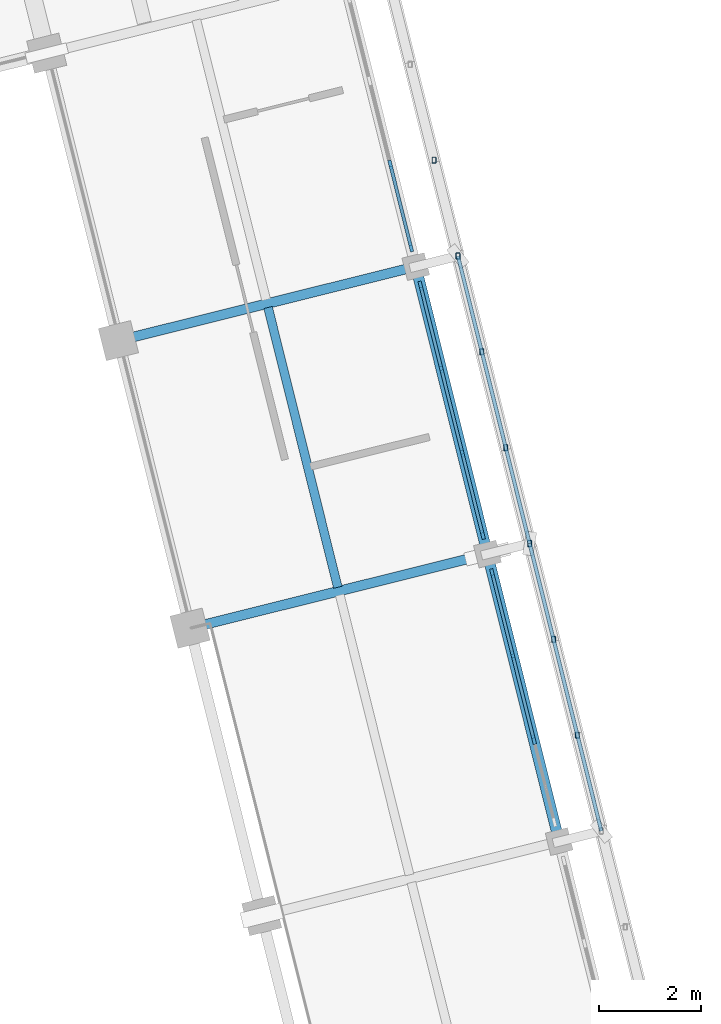
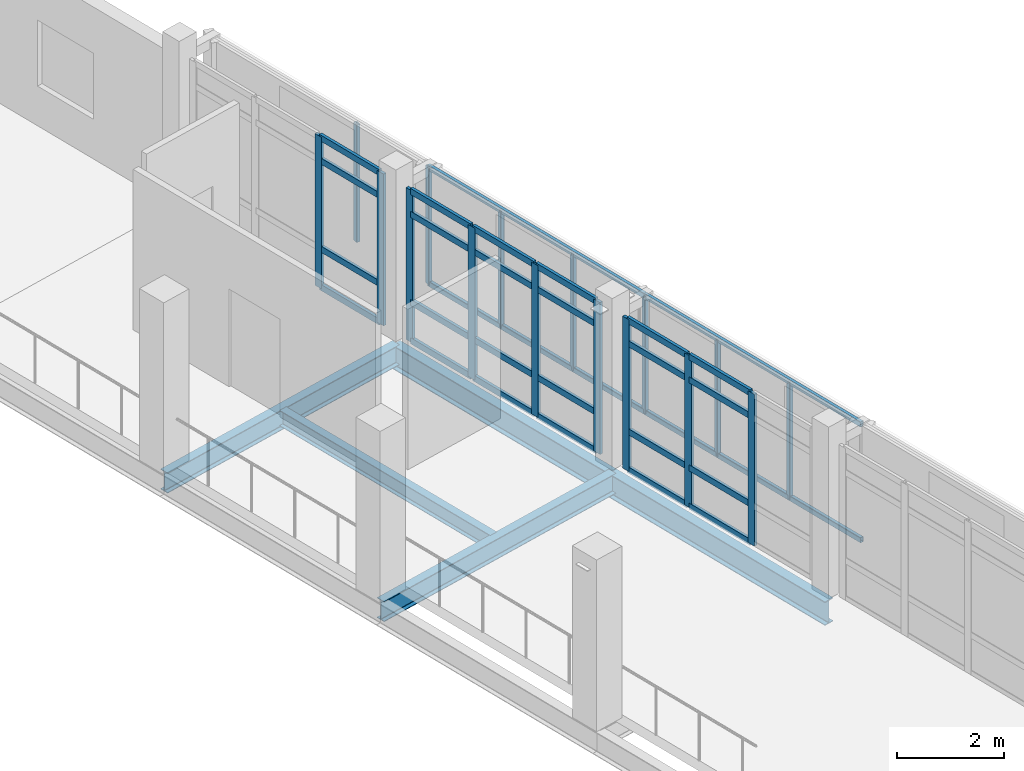
# One storey, part 22 of 117: 44 members, 5 beams, 3 elements without a shape of their own.
"""IFC4 building model written with IfcOpenShell, lengths in metres."""

from ifc_helpers import new_model, si_unit, direction, frame, origin, origin_2d, place, context, subcontext, project, spatial, rectangle, hollow_rectangle, i_section, extrude, material, material_profile, profile_set, type_object, element, aggregate, save


model = new_model("IFC4")

# Units and contexts
model_context = context("Model", 3, precision=1e-05, world=origin(), true_north=direction((0.0, 1.0)))
body_context = subcontext(model_context, "Body", "Model", "MODEL_VIEW")
ifc_project = project(units=[si_unit("LENGTHUNIT", "METRE"), si_unit("AREAUNIT", "SQUARE_METRE"), si_unit("VOLUMEUNIT", "CUBIC_METRE"), si_unit("PLANEANGLEUNIT", "RADIAN"), si_unit("MASSUNIT", "GRAM", prefix="KILO")], contexts=[model_context])

# Site, building, storey
site_placement = place(None, origin())
site = spatial("IfcSite", under=ifc_project, at=site_placement, CompositionType="ELEMENT")
building_placement = place(site_placement, origin())
building = spatial("IfcBuilding", under=site, at=building_placement, Name="Cinderway Yard Community Centre", CompositionType="ELEMENT")
storey_placement = place(building_placement, frame((0.0, 0.0, 9.0)))
storey = spatial("IfcBuildingStorey", under=building, at=storey_placement, Name="L02", CompositionType="ELEMENT", Elevation=9.0)

# Curtain wall, members
ifc_material_1 = material(Name="Aluminium 6063-T6", Category="aluminium")
curtain_wall_type = type_object("IfcCurtainWallType", Name="ENV-CW-TYPE-07", PredefinedType="USERDEFINED", material=ifc_material_1)
curtain_wall_1_placement = place(storey_placement, origin())
curtain_wall_1 = element("IfcCurtainWall", 1, at=curtain_wall_1_placement, inside=storey, type_object=curtain_wall_type, Name="Main Hall Courtyard Curtain Wall ENV-CW-L02-HS-0024", ObjectType="GLAZED CURTAIN WALL", PredefinedType="USERDEFINED")
ifc_material_profile_1 = material_profile(ifc_material_1, rectangle(XDim=0.06494140625, YDim=0.179931640625, at=origin_2d()), Name="Aluminium 6063-T6")
ifc_profile_set_1 = profile_set([ifc_material_profile_1], Name="Aluminium 6063-T6")
member_type_1 = type_object("IfcMemberType", Name="ENV-CW-MULL-180", PredefinedType="MULLION", material=ifc_profile_set_1)
member_1_placement = place(storey_placement, frame((46.6904296875, 57.84521484375, 0.0), z_axis=(0.0, 0.0, 1.0), x_axis=(-0.97030436752, -0.241887234827, 0.0)))
member_1 = element("IfcMember", 2, at=member_1_placement, type_object=member_type_1, Name="CW-07 mullion 2", PredefinedType="MULLION", context=body_context, shape_type="SweptSolid", body=[
    extrude(rectangle(XDim=0.06494140625, YDim=0.179931640625, at=origin_2d()), origin(), (0.0, 0.0, 1.0), 3.449951171875),
])
member_2_placement = place(storey_placement, frame((46.28076171875, 59.48876953125, 0.0), z_axis=(0.0, 0.0, 1.0), x_axis=(-0.97030436752, -0.241887234827, 0.0)))
member_2 = element("IfcMember", 3, at=member_2_placement, type_object=member_type_1, Name="CW-07 mullion 3", PredefinedType="MULLION", context=body_context, shape_type="SweptSolid", body=[
    extrude(rectangle(XDim=0.06494140625, YDim=0.179931640625, at=origin_2d()), origin(), (0.0, 0.0, 1.0), 3.449951171875),
])
member_3_placement = place(storey_placement, frame((45.878173828125, 61.102783203125, 0.0), z_axis=(0.0, 0.0, 1.0), x_axis=(-0.97030436752, -0.241887234827, 0.0)))
member_3 = element("IfcMember", 4, at=member_3_placement, type_object=member_type_1, Name="CW-07 mullion 4", PredefinedType="MULLION", context=body_context, shape_type="SweptSolid", body=[
    extrude(rectangle(XDim=0.06494140625, YDim=0.179931640625, at=origin_2d()), origin(), (0.0, 0.0, 1.0), 3.449951171875),
])

curtain_wall_2_placement = place(storey_placement, origin())
curtain_wall_2 = element("IfcCurtainWall", 5, at=curtain_wall_2_placement, inside=storey, type_object=curtain_wall_type, Name="Main Hall Courtyard Curtain Wall ENV-CW-L02-HS-0025", ObjectType="GLAZED CURTAIN WALL", PredefinedType="USERDEFINED")
member_4_placement = place(storey_placement, frame((45.689697265625, 61.859130859375, 0.0), z_axis=(0.0, 0.0, 1.0), x_axis=(-0.970292848611, -0.241933436991, 0.0)))
member_4 = element("IfcMember", 6, at=member_4_placement, type_object=member_type_1, Name="CW-07 mullion 1", PredefinedType="MULLION", context=body_context, shape_type="SweptSolid", body=[
    extrude(rectangle(XDim=0.06494140625, YDim=0.179931640625, at=origin_2d()), origin(), (0.0, 0.0, 1.0), 3.449951171875),
])
member_5_placement = place(storey_placement, frame((45.287353515625, 63.472900390625, 0.0), z_axis=(0.0, 0.0, 1.0), x_axis=(-0.970292848611, -0.241933436991, 0.0)))
member_5 = element("IfcMember", 7, at=member_5_placement, type_object=member_type_1, Name="CW-07 mullion 2", PredefinedType="MULLION", context=body_context, shape_type="SweptSolid", body=[
    extrude(rectangle(XDim=0.06494140625, YDim=0.179931640625, at=origin_2d()), origin(), (0.0, 0.0, 1.0), 3.449951171875),
])
member_6_placement = place(storey_placement, frame((44.877685546875, 65.115966796875, 0.0), z_axis=(0.0, 0.0, 1.0), x_axis=(-0.970292848611, -0.241933436991, 0.0)))
member_6 = element("IfcMember", 8, at=member_6_placement, type_object=member_type_1, Name="CW-07 mullion 3", PredefinedType="MULLION", context=body_context, shape_type="SweptSolid", body=[
    extrude(rectangle(XDim=0.06494140625, YDim=0.179931640625, at=origin_2d()), origin(), (0.0, 0.0, 1.0), 3.449951171875),
])
member_7_placement = place(storey_placement, frame((44.475341796875, 66.72998046875, 0.0), z_axis=(0.0, 0.0, 1.0), x_axis=(-0.970292848611, -0.241933436991, 0.0)))
member_7 = element("IfcMember", 9, at=member_7_placement, type_object=member_type_1, Name="CW-07 mullion 4", PredefinedType="MULLION", context=body_context, shape_type="SweptSolid", body=[
    extrude(rectangle(XDim=0.06494140625, YDim=0.179931640625, at=origin_2d()), origin(), (0.0, 0.0, 1.0), 3.449951171875),
])

curtain_wall_3_placement = place(storey_placement, origin())
curtain_wall_3 = element("IfcCurtainWall", 10, at=curtain_wall_3_placement, inside=storey, type_object=curtain_wall_type, Name="Main Hall Courtyard Curtain Wall ENV-CW-L02-HS-0026", ObjectType="GLAZED CURTAIN WALL", PredefinedType="USERDEFINED")
member_8_placement = place(storey_placement, frame((44.28662109375, 67.486083984375, 0.0), z_axis=(0.0, 0.0, 1.0), x_axis=(-0.970258158409, -0.242072522276, 0.0)))
member_8 = element("IfcMember", 11, at=member_8_placement, type_object=member_type_1, Name="CW-07 mullion 1", PredefinedType="MULLION", context=body_context, shape_type="SweptSolid", body=[
    extrude(rectangle(XDim=0.06494140625, YDim=0.179931640625, at=origin_2d()), origin(), (0.0, 0.0, 1.0), 3.449951171875),
])
member_9_placement = place(storey_placement, frame((43.884033203125, 69.100341796875, 0.0), z_axis=(0.0, 0.0, 1.0), x_axis=(-0.970258158409, -0.242072522276, 0.0)))
member_9 = element("IfcMember", 12, at=member_9_placement, type_object=member_type_1, Name="CW-07 mullion 2", PredefinedType="MULLION", context=body_context, shape_type="SweptSolid", body=[
    extrude(rectangle(XDim=0.06494140625, YDim=0.179931640625, at=origin_2d()), origin(), (0.0, 0.0, 1.0), 3.449951171875),
])

# Member
ifc_material_profile_2 = material_profile(ifc_material_1, rectangle(XDim=0.06494140625, YDim=0.139892578125, at=origin_2d()), Name="Aluminium 6063-T6")
ifc_profile_set_2 = profile_set([ifc_material_profile_2], Name="Aluminium 6063-T6")
member_type_2 = type_object("IfcMemberType", Name="ENV-CW-TRAN-140", PredefinedType="USERDEFINED", material=ifc_profile_set_2)
member_10_placement = place(storey_placement, frame((46.68310546875, 57.87451171875, 0.030029296875), z_axis=(-0.241972917865, 0.970283003571, 0.0), x_axis=(-0.970283003571, -0.241972917865, 0.0)))
member_10 = element("IfcMember", 13, at=member_10_placement, type_object=member_type_2, Name="CW-07 transom 2.1", ObjectType="TRANSOM", PredefinedType="USERDEFINED", context=body_context, shape_type="SweptSolid", body=[
    extrude(rectangle(XDim=0.06494140625, YDim=0.139892578125, at=origin_2d()), origin(), (0.0, 0.0, 1.0), 1.633544921875),
])

member_11_placement = place(storey_placement, frame((46.68310546875, 57.87451171875, 0.89990234375), z_axis=(-0.241972917865, 0.970283003571, 0.0), x_axis=(-0.970283003571, -0.241972917865, 0.0)))
member_11 = element("IfcMember", 14, at=member_11_placement, type_object=member_type_2, Name="CW-07 transom 2.2", ObjectType="TRANSOM", PredefinedType="USERDEFINED", context=body_context, shape_type="SweptSolid", body=[
    extrude(rectangle(XDim=0.06494140625, YDim=0.139892578125, at=origin_2d()), origin(), (0.0, 0.0, 1.0), 1.633544921875),
])

member_12_placement = place(storey_placement, frame((46.68310546875, 57.87451171875, 2.89990234375), z_axis=(-0.241972917865, 0.970283003571, 0.0), x_axis=(-0.970283003571, -0.241972917865, 0.0)))
member_12 = element("IfcMember", 15, at=member_12_placement, type_object=member_type_2, Name="CW-07 transom 2.3", ObjectType="TRANSOM", PredefinedType="USERDEFINED", context=body_context, shape_type="SweptSolid", body=[
    extrude(rectangle(XDim=0.06494140625, YDim=0.139892578125, at=origin_2d()), origin(), (0.0, 0.0, 1.0), 1.633544921875),
])

member_13_placement = place(storey_placement, frame((46.68310546875, 57.87451171875, 3.419921875), z_axis=(-0.241972917865, 0.970283003571, 0.0), x_axis=(-0.970283003571, -0.241972917865, 0.0)))
member_13 = element("IfcMember", 16, at=member_13_placement, type_object=member_type_2, Name="CW-07 transom 2.4", ObjectType="TRANSOM", PredefinedType="USERDEFINED", context=body_context, shape_type="SweptSolid", body=[
    extrude(rectangle(XDim=0.06494140625, YDim=0.139892578125, at=origin_2d()), origin(), (0.0, 0.0, 1.0), 1.633544921875),
])

member_14_placement = place(storey_placement, frame((46.2734375, 59.517822265625, 0.030029296875), z_axis=(-0.241926573916, 0.970294559829, 0.0), x_axis=(-0.970294559829, -0.241926573916, 0.0)))
member_14 = element("IfcMember", 17, at=member_14_placement, type_object=member_type_2, Name="CW-07 transom 3.1", ObjectType="TRANSOM", PredefinedType="USERDEFINED", context=body_context, shape_type="SweptSolid", body=[
    extrude(rectangle(XDim=0.06494140625, YDim=0.139892578125, at=origin_2d()), origin(), (0.0, 0.0, 1.0), 1.603515625),
])

member_15_placement = place(storey_placement, frame((46.2734375, 59.517822265625, 0.89990234375), z_axis=(-0.241926573916, 0.970294559829, 0.0), x_axis=(-0.970294559829, -0.241926573916, 0.0)))
member_15 = element("IfcMember", 18, at=member_15_placement, type_object=member_type_2, Name="CW-07 transom 3.2", ObjectType="TRANSOM", PredefinedType="USERDEFINED", context=body_context, shape_type="SweptSolid", body=[
    extrude(rectangle(XDim=0.06494140625, YDim=0.139892578125, at=origin_2d()), origin(), (0.0, 0.0, 1.0), 1.603515625),
])

member_16_placement = place(storey_placement, frame((46.2734375, 59.517822265625, 2.89990234375), z_axis=(-0.241926573916, 0.970294559829, 0.0), x_axis=(-0.970294559829, -0.241926573916, 0.0)))
member_16 = element("IfcMember", 19, at=member_16_placement, type_object=member_type_2, Name="CW-07 transom 3.3", ObjectType="TRANSOM", PredefinedType="USERDEFINED", context=body_context, shape_type="SweptSolid", body=[
    extrude(rectangle(XDim=0.06494140625, YDim=0.139892578125, at=origin_2d()), origin(), (0.0, 0.0, 1.0), 1.603515625),
])

member_17_placement = place(storey_placement, frame((46.2734375, 59.517822265625, 3.419921875), z_axis=(-0.241926573916, 0.970294559829, 0.0), x_axis=(-0.970294559829, -0.241926573916, 0.0)))
member_17 = element("IfcMember", 20, at=member_17_placement, type_object=member_type_2, Name="CW-07 transom 3.4", ObjectType="TRANSOM", PredefinedType="USERDEFINED", context=body_context, shape_type="SweptSolid", body=[
    extrude(rectangle(XDim=0.06494140625, YDim=0.139892578125, at=origin_2d()), origin(), (0.0, 0.0, 1.0), 1.603515625),
])

aggregate(curtain_wall_1, [member_1, member_2, member_3, member_10, member_11, member_12, member_13, member_14, member_15, member_16, member_17])

member_18_placement = place(storey_placement, frame((45.682373046875, 61.88818359375, 0.030029296875), z_axis=(-0.241818952107, 0.970321387171, 0.0), x_axis=(-0.970321387171, -0.241818952107, 0.0)))
member_18 = element("IfcMember", 21, at=member_18_placement, type_object=member_type_2, Name="CW-07 transom 1.1", ObjectType="TRANSOM", PredefinedType="USERDEFINED", context=body_context, shape_type="SweptSolid", body=[
    extrude(rectangle(XDim=0.06494140625, YDim=0.139892578125, at=origin_2d()), origin(), (0.0, 0.0, 1.0), 1.603271484375),
])

member_19_placement = place(storey_placement, frame((45.682373046875, 61.88818359375, 0.89990234375), z_axis=(-0.241818952107, 0.970321387171, 0.0), x_axis=(-0.970321387171, -0.241818952107, 0.0)))
member_19 = element("IfcMember", 22, at=member_19_placement, type_object=member_type_2, Name="CW-07 transom 1.2", ObjectType="TRANSOM", PredefinedType="USERDEFINED", context=body_context, shape_type="SweptSolid", body=[
    extrude(rectangle(XDim=0.06494140625, YDim=0.139892578125, at=origin_2d()), origin(), (0.0, 0.0, 1.0), 1.603271484375),
])

member_20_placement = place(storey_placement, frame((45.682373046875, 61.88818359375, 2.89990234375), z_axis=(-0.241818952107, 0.970321387171, 0.0), x_axis=(-0.970321387171, -0.241818952107, 0.0)))
member_20 = element("IfcMember", 23, at=member_20_placement, type_object=member_type_2, Name="CW-07 transom 1.3", ObjectType="TRANSOM", PredefinedType="USERDEFINED", context=body_context, shape_type="SweptSolid", body=[
    extrude(rectangle(XDim=0.06494140625, YDim=0.139892578125, at=origin_2d()), origin(), (0.0, 0.0, 1.0), 1.603271484375),
])

member_21_placement = place(storey_placement, frame((45.682373046875, 61.88818359375, 3.419921875), z_axis=(-0.241818952107, 0.970321387171, 0.0), x_axis=(-0.970321387171, -0.241818952107, 0.0)))
member_21 = element("IfcMember", 24, at=member_21_placement, type_object=member_type_2, Name="CW-07 transom 1.4", ObjectType="TRANSOM", PredefinedType="USERDEFINED", context=body_context, shape_type="SweptSolid", body=[
    extrude(rectangle(XDim=0.06494140625, YDim=0.139892578125, at=origin_2d()), origin(), (0.0, 0.0, 1.0), 1.603271484375),
])

member_22_placement = place(storey_placement, frame((45.280029296875, 63.502197265625, 0.030029296875), z_axis=(-0.24186728009, 0.970309341819, 0.0), x_axis=(-0.970309341819, -0.24186728009, 0.0)))
member_22 = element("IfcMember", 25, at=member_22_placement, type_object=member_type_2, Name="CW-07 transom 2.1", ObjectType="TRANSOM", PredefinedType="USERDEFINED", context=body_context, shape_type="SweptSolid", body=[
    extrude(rectangle(XDim=0.06494140625, YDim=0.139892578125, at=origin_2d()), origin(), (0.0, 0.0, 1.0), 1.63330078125),
])

member_23_placement = place(storey_placement, frame((45.280029296875, 63.502197265625, 0.89990234375), z_axis=(-0.24186728009, 0.970309341819, 0.0), x_axis=(-0.970309341819, -0.24186728009, 0.0)))
member_23 = element("IfcMember", 26, at=member_23_placement, type_object=member_type_2, Name="CW-07 transom 2.2", ObjectType="TRANSOM", PredefinedType="USERDEFINED", context=body_context, shape_type="SweptSolid", body=[
    extrude(rectangle(XDim=0.06494140625, YDim=0.139892578125, at=origin_2d()), origin(), (0.0, 0.0, 1.0), 1.63330078125),
])

member_24_placement = place(storey_placement, frame((45.280029296875, 63.502197265625, 2.89990234375), z_axis=(-0.24186728009, 0.970309341819, 0.0), x_axis=(-0.970309341819, -0.24186728009, 0.0)))
member_24 = element("IfcMember", 27, at=member_24_placement, type_object=member_type_2, Name="CW-07 transom 2.3", ObjectType="TRANSOM", PredefinedType="USERDEFINED", context=body_context, shape_type="SweptSolid", body=[
    extrude(rectangle(XDim=0.06494140625, YDim=0.139892578125, at=origin_2d()), origin(), (0.0, 0.0, 1.0), 1.63330078125),
])

member_25_placement = place(storey_placement, frame((45.280029296875, 63.502197265625, 3.419921875), z_axis=(-0.24186728009, 0.970309341819, 0.0), x_axis=(-0.970309341819, -0.24186728009, 0.0)))
member_25 = element("IfcMember", 28, at=member_25_placement, type_object=member_type_2, Name="CW-07 transom 2.4", ObjectType="TRANSOM", PredefinedType="USERDEFINED", context=body_context, shape_type="SweptSolid", body=[
    extrude(rectangle(XDim=0.06494140625, YDim=0.139892578125, at=origin_2d()), origin(), (0.0, 0.0, 1.0), 1.63330078125),
])

member_26_placement = place(storey_placement, frame((44.870361328125, 65.14501953125, 0.030029296875), z_axis=(-0.241962318399, 0.970285646846, 0.0), x_axis=(-0.970285646846, -0.241962318399, 0.0)))
member_26 = element("IfcMember", 29, at=member_26_placement, type_object=member_type_2, Name="CW-07 transom 3.1", ObjectType="TRANSOM", PredefinedType="USERDEFINED", context=body_context, shape_type="SweptSolid", body=[
    extrude(rectangle(XDim=0.06494140625, YDim=0.139892578125, at=origin_2d()), origin(), (0.0, 0.0, 1.0), 1.603271484375),
])

member_27_placement = place(storey_placement, frame((44.870361328125, 65.14501953125, 0.89990234375), z_axis=(-0.241962318399, 0.970285646846, 0.0), x_axis=(-0.970285646846, -0.241962318399, 0.0)))
member_27 = element("IfcMember", 30, at=member_27_placement, type_object=member_type_2, Name="CW-07 transom 3.2", ObjectType="TRANSOM", PredefinedType="USERDEFINED", context=body_context, shape_type="SweptSolid", body=[
    extrude(rectangle(XDim=0.06494140625, YDim=0.139892578125, at=origin_2d()), origin(), (0.0, 0.0, 1.0), 1.603271484375),
])

member_28_placement = place(storey_placement, frame((44.870361328125, 65.14501953125, 2.89990234375), z_axis=(-0.241962318399, 0.970285646846, 0.0), x_axis=(-0.970285646846, -0.241962318399, 0.0)))
member_28 = element("IfcMember", 31, at=member_28_placement, type_object=member_type_2, Name="CW-07 transom 3.3", ObjectType="TRANSOM", PredefinedType="USERDEFINED", context=body_context, shape_type="SweptSolid", body=[
    extrude(rectangle(XDim=0.06494140625, YDim=0.139892578125, at=origin_2d()), origin(), (0.0, 0.0, 1.0), 1.603271484375),
])

member_29_placement = place(storey_placement, frame((44.870361328125, 65.14501953125, 3.419921875), z_axis=(-0.241962318399, 0.970285646846, 0.0), x_axis=(-0.970285646846, -0.241962318399, 0.0)))
member_29 = element("IfcMember", 32, at=member_29_placement, type_object=member_type_2, Name="CW-07 transom 3.4", ObjectType="TRANSOM", PredefinedType="USERDEFINED", context=body_context, shape_type="SweptSolid", body=[
    extrude(rectangle(XDim=0.06494140625, YDim=0.139892578125, at=origin_2d()), origin(), (0.0, 0.0, 1.0), 1.603271484375),
])

aggregate(curtain_wall_2, [member_4, member_5, member_6, member_7, member_18, member_19, member_20, member_21, member_22, member_23, member_24, member_25, member_26, member_27, member_28, member_29])

member_30_placement = place(storey_placement, frame((44.279541015625, 67.51513671875, 0.030029296875), z_axis=(-0.242034153032, 0.970267730457, 0.0), x_axis=(-0.970267730457, -0.242034153032, 0.0)))
member_30 = element("IfcMember", 33, at=member_30_placement, type_object=member_type_2, Name="CW-07 transom 1.1", ObjectType="TRANSOM", PredefinedType="USERDEFINED", context=body_context, shape_type="SweptSolid", body=[
    extrude(rectangle(XDim=0.06494140625, YDim=0.139892578125, at=origin_2d()), origin(), (0.0, 0.0, 1.0), 1.603759765625),
])

member_31_placement = place(storey_placement, frame((44.279541015625, 67.51513671875, 0.89990234375), z_axis=(-0.242034153032, 0.970267730457, 0.0), x_axis=(-0.970267730457, -0.242034153032, 0.0)))
member_31 = element("IfcMember", 34, at=member_31_placement, type_object=member_type_2, Name="CW-07 transom 1.2", ObjectType="TRANSOM", PredefinedType="USERDEFINED", context=body_context, shape_type="SweptSolid", body=[
    extrude(rectangle(XDim=0.06494140625, YDim=0.139892578125, at=origin_2d()), origin(), (0.0, 0.0, 1.0), 1.603759765625),
])

member_32_placement = place(storey_placement, frame((44.279541015625, 67.51513671875, 2.89990234375), z_axis=(-0.242034153032, 0.970267730457, 0.0), x_axis=(-0.970267730457, -0.242034153032, 0.0)))
member_32 = element("IfcMember", 35, at=member_32_placement, type_object=member_type_2, Name="CW-07 transom 1.3", ObjectType="TRANSOM", PredefinedType="USERDEFINED", context=body_context, shape_type="SweptSolid", body=[
    extrude(rectangle(XDim=0.06494140625, YDim=0.139892578125, at=origin_2d()), origin(), (0.0, 0.0, 1.0), 1.603759765625),
])

member_33_placement = place(storey_placement, frame((44.279541015625, 67.51513671875, 3.419921875), z_axis=(-0.242034153032, 0.970267730457, 0.0), x_axis=(-0.970267730457, -0.242034153032, 0.0)))
member_33 = element("IfcMember", 36, at=member_33_placement, type_object=member_type_2, Name="CW-07 transom 1.4", ObjectType="TRANSOM", PredefinedType="USERDEFINED", context=body_context, shape_type="SweptSolid", body=[
    extrude(rectangle(XDim=0.06494140625, YDim=0.139892578125, at=origin_2d()), origin(), (0.0, 0.0, 1.0), 1.603759765625),
])

aggregate(curtain_wall_3, [member_8, member_9, member_30, member_31, member_32, member_33])

# Members
ifc_material_2 = material(Name="Steel S355", Category="steel")
ifc_material_profile_3 = material_profile(ifc_material_2, hollow_rectangle(XDim=0.080078125, YDim=0.1201171875, WallThickness=0.00634765625, InnerFilletRadius=0.00634765625, OuterFilletRadius=0.0126953125, at=origin_2d()), Name="Steel S355")
ifc_profile_set_3 = profile_set([ifc_material_profile_3], Name="Steel S355")
member_type_3 = type_object("IfcMemberType", Name="ENV-MEM-SCREEN-RAIL-120", PredefinedType="STRINGER", material=ifc_profile_set_3)
for number, where, z_axis, x_axis, name in (
    (37, (48.011962890625, 56.05908203125, 0.7099609375), (-0.2419017199, 0.97030075642, 0.0), (-0.97030075642, -0.2419017199, 0.0), "Screen support rail 0922-BOT"),
    (38, (48.011962890625, 56.05908203125, 3.340087890625), (-0.2419017199, 0.97030075642, 0.0), (-0.97030075642, -0.2419017199, 0.0), "Screen support rail 0923-TOP"),
):
    element("IfcMember", number, at=place(storey_placement, frame(where, z_axis=z_axis, x_axis=x_axis)), inside=storey, type_object=member_type_3, Name=name, PredefinedType="STRINGER", context=body_context, shape_type="SweptSolid", body=[
        extrude(hollow_rectangle(XDim=0.080078125, YDim=0.1201171875, WallThickness=0.00634765625, InnerFilletRadius=0.00634765625, OuterFilletRadius=0.0126953125, at=origin_2d()), origin(), (0.0, 0.0, 1.0), 5.80029296875),
    ])
for number, where, z_axis, x_axis, name in (
    (39, (47.5439453125, 57.93505859375, 0.68994140625), (0.0, 0.0, 1.0), (1.0, 0.0, 0.0), "Screen vertical mullion 0924"),
    (40, (47.076904296875, 59.81103515625, 0.68994140625), (0.0, 0.0, 1.0), (1.0, 0.0, 0.0), "Screen vertical mullion 0925"),
    (41, (46.60888671875, 61.68701171875, 0.68994140625), (0.0, 0.0, 1.0), (1.0, 0.0, 0.0), "Screen vertical mullion 0926"),
):
    element("IfcMember", number, at=place(storey_placement, frame(where, z_axis=z_axis, x_axis=x_axis)), inside=storey, type_object=member_type_3, Name=name, PredefinedType="STRINGER", context=body_context, shape_type="SweptSolid", body=[
        extrude(hollow_rectangle(XDim=0.080078125, YDim=0.1201171875, WallThickness=0.00634765625, InnerFilletRadius=0.00634765625, OuterFilletRadius=0.0126953125, at=origin_2d()), origin(), (0.0, 0.0, 1.0), 2.670166015625),
    ])
for number, where, z_axis, x_axis, name in (
    (42, (46.60888671875, 61.68701171875, 0.7099609375), (-0.241901609859, 0.970300783854, 0.0), (-0.970300783854, -0.241901609859, 0.0), "Screen support rail 0928-BOT"),
    (43, (46.60888671875, 61.68701171875, 3.340087890625), (-0.241901609859, 0.970300783854, 0.0), (-0.970300783854, -0.241901609859, 0.0), "Screen support rail 0929-TOP"),
):
    element("IfcMember", number, at=place(storey_placement, frame(where, z_axis=z_axis, x_axis=x_axis)), inside=storey, type_object=member_type_3, Name=name, PredefinedType="STRINGER", context=body_context, shape_type="SweptSolid", body=[
        extrude(hollow_rectangle(XDim=0.080078125, YDim=0.1201171875, WallThickness=0.00634765625, InnerFilletRadius=0.00634765625, OuterFilletRadius=0.0126953125, at=origin_2d()), origin(), (0.0, 0.0, 1.0), 5.799072265625),
    ])
for number, where, z_axis, x_axis, name in (
    (44, (46.14111328125, 63.56298828125, 0.68994140625), (0.0, 0.0, 1.0), (1.0, 0.0, 0.0), "Screen vertical mullion 0930"),
    (45, (45.674072265625, 65.43798828125, 0.68994140625), (0.0, 0.0, 1.0), (1.0, 0.0, 0.0), "Screen vertical mullion 0931"),
    (46, (45.2060546875, 67.31396484375, 0.68994140625), (0.0, 0.0, 1.0), (1.0, 0.0, 0.0), "Screen vertical mullion 0932"),
    (47, (44.738037109375, 69.18994140625, 0.68994140625), (0.0, 0.0, 1.0), (1.0, 0.0, 0.0), "Screen vertical mullion 0936"),
):
    element("IfcMember", number, at=place(storey_placement, frame(where, z_axis=z_axis, x_axis=x_axis)), inside=storey, type_object=member_type_3, Name=name, PredefinedType="STRINGER", context=body_context, shape_type="SweptSolid", body=[
        extrude(hollow_rectangle(XDim=0.080078125, YDim=0.1201171875, WallThickness=0.00634765625, InnerFilletRadius=0.00634765625, OuterFilletRadius=0.0126953125, at=origin_2d()), origin(), (0.0, 0.0, 1.0), 2.670166015625),
    ])

# Beams
ifc_material_profile_4 = material_profile(ifc_material_2, i_section(OverallWidth=0.172119140625, OverallDepth=0.35791015625, WebThickness=0.0078125, FlangeThickness=0.01318359375, FilletRadius=0.010986328125, at=origin_2d()), Name="Steel S355")
ifc_profile_set_4 = profile_set([ifc_material_profile_4], Name="Steel S355")
beam_type_1 = type_object("IfcBeamType", Name="STR-BM-W360X57", PredefinedType="JOIST", material=ifc_profile_set_4)
beam_1_placement = place(storey_placement, frame((42.85400390625, 60.830078125, -0.4189453125), z_axis=(-0.241945438317, 0.970289856114, 0.0), x_axis=(-0.970289856114, -0.241945438317, 0.0)))
element("IfcBeam", 48, at=beam_1_placement, inside=storey, type_object=beam_type_1, Name="Secondary joist STR-BM-L02-SJ03-0367", PredefinedType="JOIST", context=body_context, shape_type="SweptSolid", body=[
    extrude(i_section(OverallWidth=0.172119140625, OverallDepth=0.35791015625, WebThickness=0.0078125, FlangeThickness=0.01318359375, FilletRadius=0.010986328125, at=origin_2d()), origin(), (0.0, 0.0, 1.0), 5.645751953125),
])
ifc_material_profile_5 = material_profile(ifc_material_2, i_section(OverallWidth=0.19091796875, OverallDepth=0.4599609375, WebThickness=0.010009765625, FlangeThickness=0.014404296875, FilletRadius=0.012939453125, at=origin_2d()), Name="Steel S355")
ifc_profile_set_5 = profile_set([ifc_material_profile_5], Name="Steel S355")
beam_type_2 = type_object("IfcBeamType", Name="STR-BM-W460X82", PredefinedType="JOIST", material=ifc_profile_set_5)
beam_2_placement = place(storey_placement, frame((39.9619140625, 60.029052734375, -0.469970703125), z_axis=(0.970283546542, 0.241970740608, 0.0), x_axis=(-0.241970740608, 0.970283546542, 0.0)))
element("IfcBeam", 49, at=beam_2_placement, inside=storey, type_object=beam_type_2, Name="Primary girder STR-BM-L02-SJ01-0347", PredefinedType="JOIST", context=body_context, shape_type="SweptSolid", body=[
    extrude(i_section(OverallWidth=0.19091796875, OverallDepth=0.4599609375, WebThickness=0.010009765625, FlangeThickness=0.014404296875, FilletRadius=0.012939453125, at=origin_2d()), origin(), (0.0, 0.0, 1.0), 6.000244140625),
])
beam_3_placement = place(storey_placement, frame((38.55908203125, 65.656982421875, -0.469970703125), z_axis=(0.970321746773, 0.241817509166, 0.0), x_axis=(-0.241817509166, 0.970321746773, 0.0)))
element("IfcBeam", 50, at=beam_3_placement, inside=storey, type_object=beam_type_2, Name="Primary girder STR-BM-L02-SJ01-0348", PredefinedType="JOIST", context=body_context, shape_type="SweptSolid", body=[
    extrude(i_section(OverallWidth=0.19091796875, OverallDepth=0.4599609375, WebThickness=0.010009765625, FlangeThickness=0.014404296875, FilletRadius=0.012939453125, at=origin_2d()), origin(), (0.0, 0.0, 1.0), 6.0),
])
ifc_material_profile_6 = material_profile(ifc_material_2, i_section(OverallWidth=0.2109375, OverallDepth=0.5390625, WebThickness=0.010986328125, FlangeThickness=0.017333984375, FilletRadius=0.013916015625, at=origin_2d()), Name="Steel S355")
ifc_profile_set_6 = profile_set([ifc_material_profile_6], Name="Steel S355")
beam_type_3 = type_object("IfcBeamType", Name="STR-BM-W530X109", PredefinedType="BEAM", material=ifc_profile_set_6)
beam_4_placement = place(storey_placement, frame((47.18701171875, 55.85302734375, -0.510009765625), z_axis=(-0.2419017199, 0.97030075642, 0.0), x_axis=(-0.97030075642, -0.2419017199, 0.0)))
element("IfcBeam", 51, at=beam_4_placement, inside=storey, type_object=beam_type_3, Name="Transverse girder STR-BM-L02-SB06-0361", PredefinedType="BEAM", context=body_context, shape_type="SweptSolid", body=[
    extrude(i_section(OverallWidth=0.2109375, OverallDepth=0.5390625, WebThickness=0.010986328125, FlangeThickness=0.017333984375, FilletRadius=0.013916015625, at=origin_2d()), origin(), (0.0, 0.0, 1.0), 5.80029296875),
])
beam_5_placement = place(storey_placement, frame((45.783935546875, 61.48095703125, -0.510009765625), z_axis=(-0.241901609859, 0.970300783854, 0.0), x_axis=(-0.970300783854, -0.241901609859, 0.0)))
element("IfcBeam", 52, at=beam_5_placement, inside=storey, type_object=beam_type_3, Name="Transverse girder STR-BM-L02-SB06-0362", PredefinedType="BEAM", context=body_context, shape_type="SweptSolid", body=[
    extrude(i_section(OverallWidth=0.2109375, OverallDepth=0.5390625, WebThickness=0.010986328125, FlangeThickness=0.017333984375, FilletRadius=0.013916015625, at=origin_2d()), origin(), (0.0, 0.0, 1.0), 5.799072265625),
])

save(model, "model.ifc")
